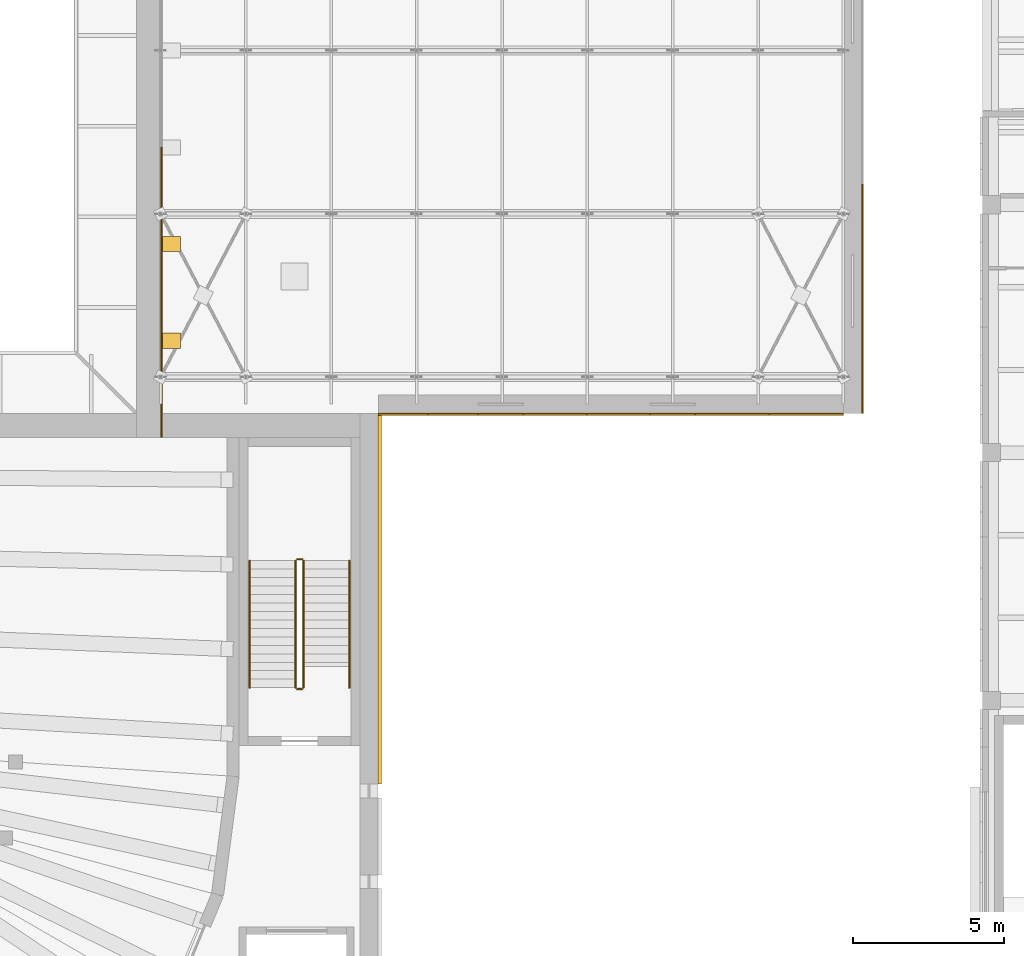
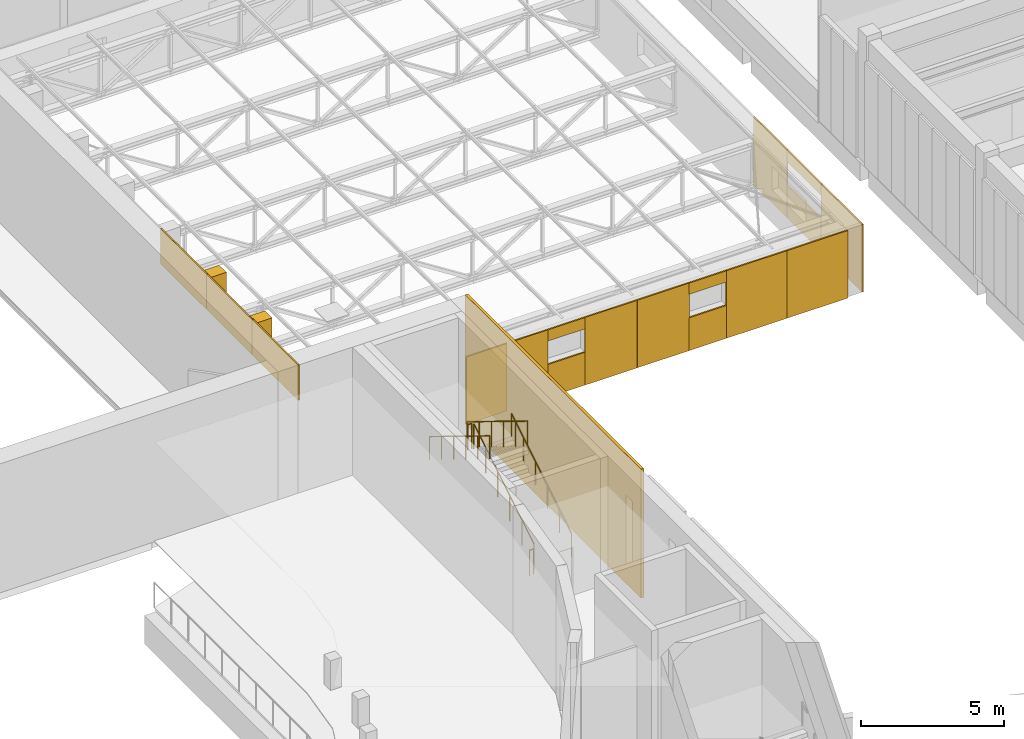
# One storey, part 120 of 132: 20 coverings, 6 railings.
"""IFC4 building model written with IfcOpenShell, lengths in metres."""

from ifc_helpers import new_model, si_unit, direction, frame, origin, origin_2d, place, context, subcontext, project, spatial, rectangle, circle, extrude, material, layer, layer_set, type_object, element, save


model = new_model("IFC4")

# Units and contexts
model_context = context("Model", 3, precision=1e-05, world=origin(), true_north=direction((0.0, 1.0)))
body_context = subcontext(model_context, "Body", "Model", "MODEL_VIEW")
ifc_project = project(units=[si_unit("LENGTHUNIT", "METRE"), si_unit("AREAUNIT", "SQUARE_METRE"), si_unit("VOLUMEUNIT", "CUBIC_METRE"), si_unit("PLANEANGLEUNIT", "RADIAN"), si_unit("MASSUNIT", "GRAM", prefix="KILO")], contexts=[model_context])

# Site, building, storey
site_placement = place(None, origin())
site = spatial("IfcSite", under=ifc_project, at=site_placement, CompositionType="ELEMENT")
building_placement = place(site_placement, origin())
building = spatial("IfcBuilding", under=site, at=building_placement, Name="Lunette Opera House", CompositionType="ELEMENT")
storey_placement = place(building_placement, frame((0.0, 0.0, 17.0)))
storey = spatial("IfcBuildingStorey", under=building, at=storey_placement, Name="L03", CompositionType="ELEMENT", Elevation=17.0)

# Covering
ifc_material_1 = material(Name="Clinker brick", Category="masonry")
ifc_layer_1 = layer(ifc_material_1, 0.114990234375)
ifc_layer_set_1 = layer_set([ifc_layer_1], Name="Clinker brick")
covering_type_1 = type_object("IfcCoveringType", Name="CLINKER CLADDING 115", PredefinedType="CLADDING", material=ifc_layer_set_1)
covering_1_placement = place(storey_placement, frame((116.05810546875, 89.862060546875, 0.0), z_axis=(0.0, 0.0, 1.0), x_axis=(1.0, 0.0, 0.0)))
element("IfcCovering", 1, at=covering_1_placement, inside=storey, type_object=covering_type_1, Name="Clinker cladding WE L03 3", PredefinedType="CLADDING", context=body_context, shape_type="SweptSolid", body=[
    extrude(rectangle(XDim=0.114990234375, YDim=12.27490234375, at=origin_2d()), origin(), (0.0, 0.0, 1.0), 5.5),
])

# Railings
ifc_material_2 = material(Name="Steel S355", Category="steel")
railing_type_1 = type_object("IfcRailingType", Name="STAIR GUARD 1100", PredefinedType="GUARDRAIL", material=ifc_material_2)
railing_1_placement = place(storey_placement, frame((113.530029296875, 86.919921875, 0.171875)))
element("IfcRailing", 2, at=railing_1_placement, inside=storey, type_object=railing_type_1, Name="L03 ST9 stair guard 1", PredefinedType="GUARDRAIL", context=body_context, shape_type="SweptSolid", body=[
    extrude(circle(Radius=0.02392578125, at=origin_2d()), frame((0.0, 0.0, 1.076171875), z_axis=(0.0, 0.852256472501, 0.523124177495), x_axis=(-1.0, 0.0, 0.0)), (0.0, 0.0, 1.0), 4.92822265625),
    extrude(circle(Radius=0.02099609375, at=origin_2d()), origin(), (0.0, 0.0, 1.0), 1.052001953125),
    extrude(circle(Radius=0.02099609375, at=origin_2d()), frame((0.0, 0.840087890625, 0.515625)), (0.0, 0.0, 1.0), 1.052001953125),
    extrude(circle(Radius=0.02099609375, at=origin_2d()), frame((0.0, 1.68017578125, 1.03125)), (0.0, 0.0, 1.0), 1.052001953125),
    extrude(circle(Radius=0.02099609375, at=origin_2d()), frame((0.0, 2.52001953125, 1.546875)), (0.0, 0.0, 1.0), 1.052001953125),
    extrude(circle(Radius=0.02099609375, at=origin_2d()), frame((0.0, 3.360107421875, 2.0625)), (0.0, 0.0, 1.0), 1.052001953125),
    extrude(circle(Radius=0.02099609375, at=origin_2d()), frame((0.0, 4.2001953125, 2.578125)), (0.0, 0.0, 1.0), 1.052001953125),
])
railing_2_placement = place(storey_placement, frame((113.47998046875, 91.169921875, 2.75)))
element("IfcRailing", 3, at=railing_2_placement, inside=storey, type_object=railing_type_1, Name="L03 ST9 stair guard 2", PredefinedType="GUARDRAIL", context=body_context, shape_type="SweptSolid", body=[
    extrude(circle(Radius=0.02392578125, at=origin_2d()), frame((0.0, 0.0, 1.076171875), z_axis=(-1.0, 0.0, 0.0), x_axis=(0.0, -1.0, 0.0)), (0.0, 0.0, 1.0), 0.159912109375),
    extrude(circle(Radius=0.02099609375, at=origin_2d()), origin(), (0.0, 0.0, 1.0), 1.052001953125),
    extrude(circle(Radius=0.02099609375, at=origin_2d()), frame((-0.159912109375, 0.0, 0.0)), (0.0, 0.0, 1.0), 1.052001953125),
])
railing_3_placement = place(storey_placement, frame((113.27001953125, 91.1201171875, 2.921875)))
element("IfcRailing", 4, at=railing_3_placement, inside=storey, type_object=railing_type_1, Name="L03 ST9 stair guard 3", PredefinedType="GUARDRAIL", context=body_context, shape_type="SweptSolid", body=[
    extrude(circle(Radius=0.02392578125, at=origin_2d()), frame((0.0, 0.0, 1.076171875), z_axis=(0.0, -0.852256472501, 0.523124177495), x_axis=(1.0, 0.0, 0.0)), (0.0, 0.0, 1.0), 4.92822265625),
    extrude(circle(Radius=0.02099609375, at=origin_2d()), origin(), (0.0, 0.0, 1.0), 1.052001953125),
    extrude(circle(Radius=0.02099609375, at=origin_2d()), frame((0.0, -0.840087890625, 0.515625)), (0.0, 0.0, 1.0), 1.052001953125),
    extrude(circle(Radius=0.02099609375, at=origin_2d()), frame((0.0, -1.68017578125, 1.03125)), (0.0, 0.0, 1.0), 1.052001953125),
    extrude(circle(Radius=0.02099609375, at=origin_2d()), frame((0.0, -2.52001953125, 1.546875)), (0.0, 0.0, 1.0), 1.052001953125),
    extrude(circle(Radius=0.02099609375, at=origin_2d()), frame((0.0, -3.360107421875, 2.0625)), (0.0, 0.0, 1.0), 1.052001953125),
    extrude(circle(Radius=0.02099609375, at=origin_2d()), frame((0.0, -4.2001953125, 2.578125)), (0.0, 0.0, 1.0), 1.052001953125),
])
railing_4_placement = place(storey_placement, frame((113.47998046875, 86.8701171875, 0.0)))
element("IfcRailing", 5, at=railing_4_placement, inside=storey, type_object=railing_type_1, Name="L03 ST9 stair guard 4", PredefinedType="GUARDRAIL", context=body_context, shape_type="SweptSolid", body=[
    extrude(circle(Radius=0.02392578125, at=origin_2d()), frame((0.0, 0.0, 1.076171875), z_axis=(-1.0, 0.0, 0.0), x_axis=(0.0, -1.0, 0.0)), (0.0, 0.0, 1.0), 0.159912109375),
    extrude(circle(Radius=0.02099609375, at=origin_2d()), origin(), (0.0, 0.0, 1.0), 1.052001953125),
    extrude(circle(Radius=0.02099609375, at=origin_2d()), frame((-0.159912109375, 0.0, 0.0)), (0.0, 0.0, 1.0), 1.052001953125),
])
ifc_material_3 = material(Name="Steel S355", Category="steel")
railing_type_2 = type_object("IfcRailingType", Name="STAIR HANDRAIL 1000", PredefinedType="HANDRAIL", material=ifc_material_3)
railing_5_placement = place(storey_placement, frame((115.050048828125, 86.919921875, 0.171875)))
element("IfcRailing", 6, at=railing_5_placement, inside=storey, type_object=railing_type_2, Name="L03 ST9 stair handrail 1", PredefinedType="HANDRAIL", context=body_context, shape_type="SweptSolid", body=[
    extrude(circle(Radius=0.02392578125, at=origin_2d()), frame((0.0, 0.0, 0.97607421875), z_axis=(0.0, 0.852256472501, 0.523124177495), x_axis=(-1.0, 0.0, 0.0)), (0.0, 0.0, 1.0), 4.92822265625),
    extrude(circle(Radius=0.02099609375, at=origin_2d()), origin(), (0.0, 0.0, 1.0), 0.951904296875),
    extrude(circle(Radius=0.02099609375, at=origin_2d()), frame((0.0, 0.840087890625, 0.515625)), (0.0, 0.0, 1.0), 0.951904296875),
    extrude(circle(Radius=0.02099609375, at=origin_2d()), frame((0.0, 1.68017578125, 1.03125)), (0.0, 0.0, 1.0), 0.951904296875),
    extrude(circle(Radius=0.02099609375, at=origin_2d()), frame((0.0, 2.52001953125, 1.546875)), (0.0, 0.0, 1.0), 0.951904296875),
    extrude(circle(Radius=0.02099609375, at=origin_2d()), frame((0.0, 3.360107421875, 2.0625)), (0.0, 0.0, 1.0), 0.951904296875),
    extrude(circle(Radius=0.02099609375, at=origin_2d()), frame((0.0, 4.2001953125, 2.578125)), (0.0, 0.0, 1.0), 0.951904296875),
])
railing_6_placement = place(storey_placement, frame((111.75, 91.1201171875, 2.921875)))
element("IfcRailing", 7, at=railing_6_placement, inside=storey, type_object=railing_type_2, Name="L03 ST9 stair handrail 2", PredefinedType="HANDRAIL", context=body_context, shape_type="SweptSolid", body=[
    extrude(circle(Radius=0.02392578125, at=origin_2d()), frame((0.0, 0.0, 0.97607421875), z_axis=(0.0, -0.852256472501, 0.523124177495), x_axis=(1.0, 0.0, 0.0)), (0.0, 0.0, 1.0), 4.92822265625),
    extrude(circle(Radius=0.02099609375, at=origin_2d()), origin(), (0.0, 0.0, 1.0), 0.951904296875),
    extrude(circle(Radius=0.02099609375, at=origin_2d()), frame((0.0, -0.840087890625, 0.515625)), (0.0, 0.0, 1.0), 0.951904296875),
    extrude(circle(Radius=0.02099609375, at=origin_2d()), frame((0.0, -1.68017578125, 1.03125)), (0.0, 0.0, 1.0), 0.951904296875),
    extrude(circle(Radius=0.02099609375, at=origin_2d()), frame((0.0, -2.52001953125, 1.546875)), (0.0, 0.0, 1.0), 0.951904296875),
    extrude(circle(Radius=0.02099609375, at=origin_2d()), frame((0.0, -3.360107421875, 2.0625)), (0.0, 0.0, 1.0), 0.951904296875),
    extrude(circle(Radius=0.02099609375, at=origin_2d()), frame((0.0, -4.2001953125, 2.578125)), (0.0, 0.0, 1.0), 0.951904296875),
])

# Coverings
ifc_material_4 = material(Name="Aluminium standing seam cladding", Category="aluminium")
ifc_layer_2 = layer(ifc_material_4, 0.06005859375)
ifc_layer_set_2 = layer_set([ifc_layer_2], Name="Aluminium standing seam cladding")
covering_type_2 = type_object("IfcCoveringType", Name="STANDING SEAM CLADDING 60", PredefinedType="CLADDING", material=ifc_layer_set_2)
for number, where, z_axis, x_axis, name in (
    (8, (108.830078125, 96.800048828125, 4.0), (0.0, 0.0, 1.0), (0.0, 1.0, 0.0), "Standing seam cladding WE L03 00"),
    (9, (108.830078125, 100.0, 4.0), (0.0, 0.0, 1.0), (0.0, 1.0, 0.0), "Standing seam cladding WE L03 01"),
    (10, (108.830078125, 103.199951171875, 4.0), (0.0, 0.0, 1.0), (0.0, 1.0, 0.0), "Standing seam cladding WE L03 02"),
):
    element("IfcCovering", number, at=place(storey_placement, frame(where, z_axis=z_axis, x_axis=x_axis)), inside=storey, type_object=covering_type_2, Name=name, PredefinedType="CLADDING", context=body_context, shape_type="SweptSolid", body=[
        extrude(rectangle(XDim=3.199951171875, YDim=0.06005859375, at=origin_2d()), origin(), (0.0, 0.0, 1.0), 1.5),
    ])
covering_2_placement = place(storey_placement, frame((132.030029296875, 97.425048828125, 0.0), z_axis=(0.0, 0.0, 1.0), x_axis=(0.0, 1.0, 0.0)))
element("IfcCovering", 11, at=covering_2_placement, inside=storey, type_object=covering_type_2, Name="Standing seam cladding SE-E-1 L03 00", PredefinedType="CLADDING", context=body_context, shape_type="SweptSolid", body=[
    extrude(rectangle(XDim=2.85009765625, YDim=0.06005859375, at=origin_2d()), origin(), (0.0, 0.0, 1.0), 2.8798828125),
])
covering_3_placement = place(storey_placement, frame((132.030029296875, 100.050048828125, 0.0), z_axis=(0.0, 0.0, 1.0), x_axis=(0.0, 1.0, 0.0)))
element("IfcCovering", 12, at=covering_3_placement, inside=storey, type_object=covering_type_2, Name="Standing seam cladding SE-E-1 L03 10", PredefinedType="CLADDING", context=body_context, shape_type="SweptSolid", body=[
    extrude(rectangle(XDim=2.39990234375, YDim=0.06005859375, at=origin_2d()), origin(), (0.0, 0.0, 1.0), 1.39990234375),
])
covering_4_placement = place(storey_placement, frame((132.030029296875, 100.050048828125, 2.39990234375), z_axis=(0.0, 0.0, 1.0), x_axis=(0.0, 1.0, 0.0)))
element("IfcCovering", 13, at=covering_4_placement, inside=storey, type_object=covering_type_2, Name="Standing seam cladding SE-E-1 L03 11", PredefinedType="CLADDING", context=body_context, shape_type="SweptSolid", body=[
    extrude(rectangle(XDim=2.39990234375, YDim=0.06005859375, at=origin_2d()), origin(), (0.0, 0.0, 1.0), 0.47998046875),
])
covering_5_placement = place(storey_placement, frame((132.030029296875, 102.4169921875, 0.0), z_axis=(0.0, 0.0, 1.0), x_axis=(0.0, 1.0, 0.0)))
element("IfcCovering", 14, at=covering_5_placement, inside=storey, type_object=covering_type_2, Name="Standing seam cladding SE-E-1 L03 20", PredefinedType="CLADDING", context=body_context, shape_type="SweptSolid", body=[
    extrude(rectangle(XDim=2.3330078125, YDim=0.06005859375, at=origin_2d()), origin(), (0.0, 0.0, 1.0), 2.8798828125),
])
for number, where, z_axis, x_axis, name in (
    (15, (116.8349609375, 95.969970703125, 0.0), (0.0, 0.0, 1.0), (1.0, 0.0, 0.0), "Standing seam cladding SE-S-1 L03 00"),
    (16, (118.48388671875, 95.969970703125, 0.0), (0.0, 0.0, 1.0), (1.0, 0.0, 0.0), "Standing seam cladding SE-S-1 L03 01"),
):
    element("IfcCovering", number, at=place(storey_placement, frame(where, z_axis=z_axis, x_axis=x_axis)), inside=storey, type_object=covering_type_2, Name=name, PredefinedType="CLADDING", context=body_context, shape_type="SweptSolid", body=[
        extrude(rectangle(XDim=1.64892578125, YDim=0.06005859375, at=origin_2d()), origin(), (0.0, 0.0, 1.0), 2.8798828125),
    ])
covering_6_placement = place(storey_placement, frame((120.05810546875, 95.969970703125, 0.0), z_axis=(0.0, 0.0, 1.0), x_axis=(1.0, 0.0, 0.0)))
element("IfcCovering", 17, at=covering_6_placement, inside=storey, type_object=covering_type_2, Name="Standing seam cladding SE-S-1 L03 10", PredefinedType="CLADDING", context=body_context, shape_type="SweptSolid", body=[
    extrude(rectangle(XDim=1.5, YDim=0.06005859375, at=origin_2d()), origin(), (0.0, 0.0, 1.0), 1.39990234375),
])
covering_7_placement = place(storey_placement, frame((120.05810546875, 95.969970703125, 2.39990234375), z_axis=(0.0, 0.0, 1.0), x_axis=(1.0, 0.0, 0.0)))
element("IfcCovering", 18, at=covering_7_placement, inside=storey, type_object=covering_type_2, Name="Standing seam cladding SE-S-1 L03 11", PredefinedType="CLADDING", context=body_context, shape_type="SweptSolid", body=[
    extrude(rectangle(XDim=1.5, YDim=0.06005859375, at=origin_2d()), origin(), (0.0, 0.0, 1.0), 0.47998046875),
])
for number, where, z_axis, x_axis, name in (
    (19, (121.85693359375, 95.969970703125, 0.0), (0.0, 0.0, 1.0), (1.0, 0.0, 0.0), "Standing seam cladding SE-S-1 L03 20"),
    (20, (123.9541015625, 95.969970703125, 0.0), (0.0, 0.0, 1.0), (1.0, 0.0, 0.0), "Standing seam cladding SE-S-1 L03 21"),
):
    element("IfcCovering", number, at=place(storey_placement, frame(where, z_axis=z_axis, x_axis=x_axis)), inside=storey, type_object=covering_type_2, Name=name, PredefinedType="CLADDING", context=body_context, shape_type="SweptSolid", body=[
        extrude(rectangle(XDim=2.096923828125, YDim=0.06005859375, at=origin_2d()), origin(), (0.0, 0.0, 1.0), 2.8798828125),
    ])
covering_8_placement = place(storey_placement, frame((125.751953125, 95.969970703125, 0.0), z_axis=(0.0, 0.0, 1.0), x_axis=(1.0, 0.0, 0.0)))
element("IfcCovering", 21, at=covering_8_placement, inside=storey, type_object=covering_type_2, Name="Standing seam cladding SE-S-1 L03 30", PredefinedType="CLADDING", context=body_context, shape_type="SweptSolid", body=[
    extrude(rectangle(XDim=1.5, YDim=0.06005859375, at=origin_2d()), origin(), (0.0, 0.0, 1.0), 1.39990234375),
])
covering_9_placement = place(storey_placement, frame((125.751953125, 95.969970703125, 2.39990234375), z_axis=(0.0, 0.0, 1.0), x_axis=(1.0, 0.0, 0.0)))
element("IfcCovering", 22, at=covering_9_placement, inside=storey, type_object=covering_type_2, Name="Standing seam cladding SE-S-1 L03 31", PredefinedType="CLADDING", context=body_context, shape_type="SweptSolid", body=[
    extrude(rectangle(XDim=1.5, YDim=0.06005859375, at=origin_2d()), origin(), (0.0, 0.0, 1.0), 0.47998046875),
])
for number, where, z_axis, x_axis, name in (
    (23, (127.72705078125, 95.969970703125, 0.0), (0.0, 0.0, 1.0), (1.0, 0.0, 0.0), "Standing seam cladding SE-S-1 L03 40"),
    (24, (130.175048828125, 95.969970703125, 0.0), (0.0, 0.0, 1.0), (1.0, 0.0, 0.0), "Standing seam cladding SE-S-1 L03 41"),
):
    element("IfcCovering", number, at=place(storey_placement, frame(where, z_axis=z_axis, x_axis=x_axis)), inside=storey, type_object=covering_type_2, Name=name, PredefinedType="CLADDING", context=body_context, shape_type="SweptSolid", body=[
        extrude(rectangle(XDim=2.448974609375, YDim=0.06005859375, at=origin_2d()), origin(), (0.0, 0.0, 1.0), 2.8798828125),
    ])
ifc_material_5 = material(Name="Weathering steel plate", Category="steel")
ifc_layer_3 = layer(ifc_material_5, 0.60009765625)
ifc_layer_set_3 = layer_set([ifc_layer_3], Name="Weathering steel plate")
covering_type_3 = type_object("IfcCoveringType", Name="TOWER RIB 500 X 600", PredefinedType="CLADDING", material=ifc_layer_set_3)
for number, where, z_axis, x_axis, name in (
    (25, (109.159912109375, 98.39990234375, 4.0), (0.0, 0.0, 1.0), (0.0, 1.0, 0.0), "Tower rib WE L03 1"),
    (26, (109.159912109375, 101.60009765625, 4.0), (0.0, 0.0, 1.0), (0.0, 1.0, 0.0), "Tower rib WE L03 2"),
):
    element("IfcCovering", number, at=place(storey_placement, frame(where, z_axis=z_axis, x_axis=x_axis)), inside=storey, type_object=covering_type_3, Name=name, PredefinedType="CLADDING", context=body_context, shape_type="SweptSolid", body=[
        extrude(rectangle(XDim=0.5, YDim=0.60009765625, at=origin_2d()), origin(), (0.0, 0.0, 1.0), 1.5),
    ])

save(model, "model.ifc")
